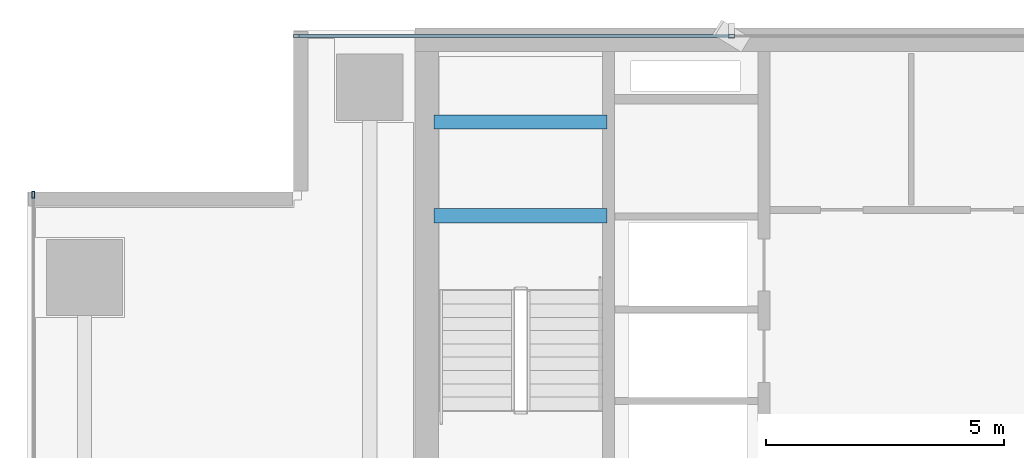
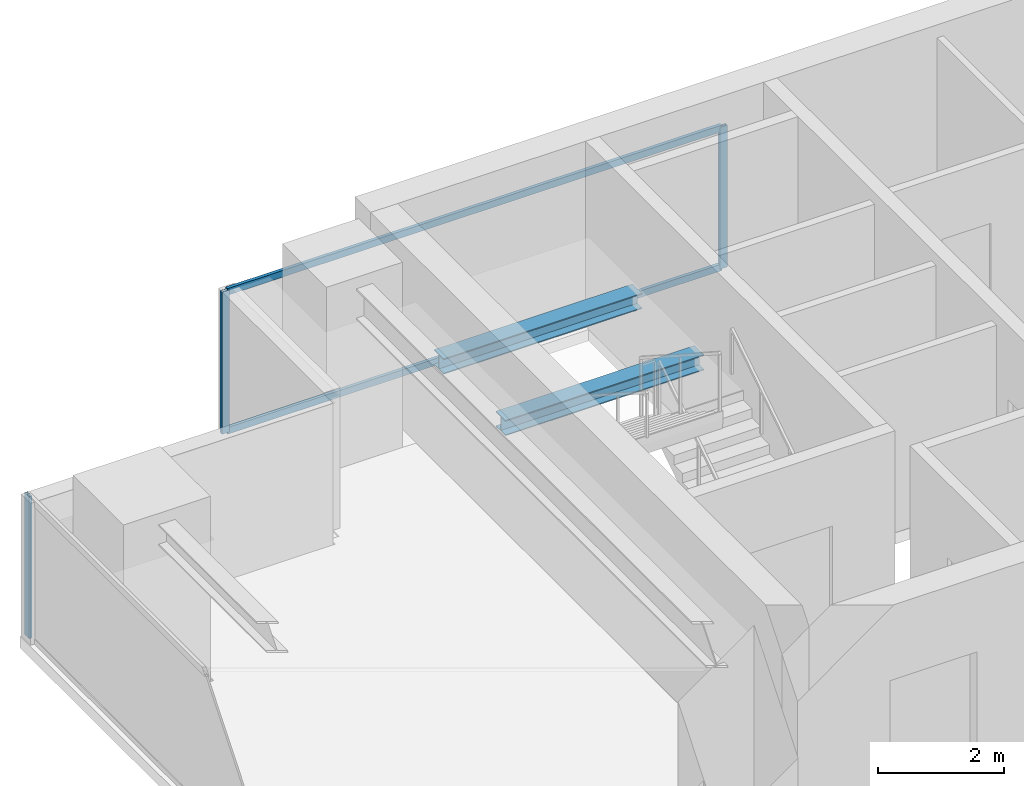
# One storey, part 19 of 29: 5 members, 2 beams, 2 elements without a shape of their own.
"""IFC4 building model written with IfcOpenShell, lengths in metres."""

from ifc_helpers import new_model, si_unit, direction, frame, origin, origin_2d, place, context, subcontext, project, spatial, hollow_rectangle, i_section, extrude, source, transform, mapped, material, layer, layer_set, material_profile, profile_set, type_object, element, aggregate, save


model = new_model("IFC4")

# Units and contexts
model_context = context("Model", 3, precision=1e-05, world=origin(), true_north=direction((0.0, 1.0)))
body_context = subcontext(model_context, "Body", "Model", "MODEL_VIEW")
ifc_project = project(units=[si_unit("LENGTHUNIT", "METRE"), si_unit("AREAUNIT", "SQUARE_METRE"), si_unit("VOLUMEUNIT", "CUBIC_METRE"), si_unit("PLANEANGLEUNIT", "RADIAN"), si_unit("MASSUNIT", "GRAM", prefix="KILO")], contexts=[model_context])

# Site, building, storey
site_placement = place(None, origin())
site = spatial("IfcSite", under=ifc_project, at=site_placement, CompositionType="ELEMENT")
building_placement = place(site_placement, origin())
building = spatial("IfcBuilding", under=site, at=building_placement, Name="Sumidabori Civic Tower", CompositionType="ELEMENT")
storey_placement = place(building_placement, frame((0.0, 0.0, 214.39990234375)))
storey = spatial("IfcBuildingStorey", under=building, at=storey_placement, Name="L55", CompositionType="ELEMENT", Elevation=214.39990234375)

# Beams
ifc_material_1 = material(Name="Steel SN490", Category="steel")
ifc_material_profile_1 = material_profile(ifc_material_1, i_section(OverallWidth=0.300048828125, OverallDepth=0.300048828125, WebThickness=0.010986328125, FlangeThickness=0.01904296875, at=origin_2d()), Name="HE 300 B")
ifc_profile_set_1 = profile_set([ifc_material_profile_1], Name="Steel SN490")
beam_type = type_object("IfcBeamType", Name="BM-LDG-300", PredefinedType="BEAM", material=ifc_profile_set_1)
shared_shape_1 = source(origin(), body_context, "Body", "SweptSolid", [
    extrude(i_section(OverallWidth=0.300048828125, OverallDepth=0.300048828125, WebThickness=0.010986328125, FlangeThickness=0.01904296875, at=origin_2d()), origin(), (0.0, 0.0, 1.0), 3.64990234375),
])
for number, where, z_axis, x_axis, name in (
    (1, (-15.449951171875, 20.09765625, 1.4501953125), (1.0, 0.0, 0.0), (0.0, 1.0, 0.0), "Stair ST-1 Landing Support Beam L55-1A"),
    (2, (-15.449951171875, 22.069580078125, 1.4501953125), (1.0, 0.0, 0.0), (0.0, 1.0, 0.0), "Stair ST-1 Landing Trimmer Beam L55-1B"),
):
    element("IfcBeam", number, at=place(storey_placement, frame(where, z_axis=z_axis, x_axis=x_axis)), inside=storey, type_object=beam_type, Name=name, PredefinedType="BEAM", context=body_context, shape_type="MappedRepresentation", body=[
        mapped(shared_shape_1, transform((0.0, 0.0, 0.0), x_axis=(1.0, 0.0, 0.0), y_axis=(0.0, 1.0, 0.0), z_axis=(0.0, 0.0, 1.0), scale=1.0)),
    ])

# Curtain wall, members
ifc_material_2 = material(Name="Anodised Bronze Aluminium AW-6063-T6", Category="aluminium")
ifc_layer = layer(ifc_material_2, 0.179931640625, Name="Anodised Bronze Aluminium AW-6063-T6")
ifc_layer_set = layer_set([ifc_layer], Name="Anodised Bronze Aluminium AW-6063-T6")
curtain_wall_type = type_object("IfcCurtainWallType", Name="CW-SYS-5", PredefinedType="NOTDEFINED", material=ifc_layer_set)
curtain_wall_1_placement = place(storey_placement, origin())
curtain_wall_1 = element("IfcCurtainWall", 3, at=curtain_wall_1_placement, inside=storey, type_object=curtain_wall_type, Name="Curtain Wall CW:L55:R13", PredefinedType="NOTDEFINED")
ifc_material_profile_2 = material_profile(ifc_material_2, hollow_rectangle(XDim=0.06005859375, YDim=0.139892578125, WallThickness=0.0048828125, at=origin_2d()), Name="ALU MULLION 140x60")
ifc_profile_set_2 = profile_set([ifc_material_profile_2], Name="Anodised Bronze Aluminium AW-6063-T6")
member_type_1 = type_object("IfcMemberType", Name="CW-MUL-140", PredefinedType="MULLION", material=ifc_profile_set_2)
shared_shape_2 = source(origin(), body_context, "Body", "SweptSolid", [
    extrude(hollow_rectangle(XDim=0.06005859375, YDim=0.139892578125, WallThickness=0.0048828125, at=origin_2d()), origin(), (0.0, 0.0, 1.0), 2.760009765625),
])
member_1_placement = place(storey_placement, frame((-9.18505859375, 23.8798828125, 0.0), z_axis=(0.0, 0.0, 1.0), x_axis=(0.0, -1.0, 0.0)))
member_1 = element("IfcMember", 4, at=member_1_placement, type_object=member_type_1, Name="CW-5 mullion 4", PredefinedType="MULLION", context=body_context, shape_type="MappedRepresentation", body=[
    mapped(shared_shape_2, transform((0.0, 0.0, 0.0), x_axis=(1.0, 0.0, 0.0), y_axis=(0.0, 1.0, 0.0), z_axis=(0.0, 0.0, 1.0), scale=1.0)),
])
member_2_placement = place(storey_placement, frame((-18.340087890625, 23.8798828125, 0.0), z_axis=(0.0, 0.0, 1.0), x_axis=(0.0, -1.0, 0.0)))
member_2 = element("IfcMember", 5, at=member_2_placement, type_object=member_type_1, Name="CW-5 mullion 5", PredefinedType="MULLION", context=body_context, shape_type="MappedRepresentation", body=[
    mapped(shared_shape_2, transform((0.0, 0.0, 0.0), x_axis=(1.0, 0.0, 0.0), y_axis=(0.0, 1.0, 0.0), z_axis=(0.0, 0.0, 1.0), scale=1.0)),
])

# Curtain wall, member
curtain_wall_2_placement = place(storey_placement, origin())
curtain_wall_2 = element("IfcCurtainWall", 6, at=curtain_wall_2_placement, inside=storey, type_object=curtain_wall_type, Name="Curtain Wall CW:L55:R16", PredefinedType="NOTDEFINED")
member_3_placement = place(storey_placement, frame((-23.8798828125, 20.5400390625, 0.0), z_axis=(0.0, 0.0, 1.0), x_axis=(1.0, 0.0, 0.0)))
member_3 = element("IfcMember", 7, at=member_3_placement, type_object=member_type_1, Name="CW-5 mullion 1", PredefinedType="MULLION", context=body_context, shape_type="MappedRepresentation", body=[
    mapped(shared_shape_2, transform((0.0, 0.0, 0.0), x_axis=(1.0, 0.0, 0.0), y_axis=(0.0, 1.0, 0.0), z_axis=(0.0, 0.0, 1.0), scale=1.0)),
])
aggregate(curtain_wall_2, [member_3])

# Member
ifc_material_profile_3 = material_profile(ifc_material_2, hollow_rectangle(XDim=0.06005859375, YDim=0.1298828125, WallThickness=0.0048828125, at=origin_2d()), Name="ALU TRANSOM 130x60")
ifc_profile_set_3 = profile_set([ifc_material_profile_3], Name="Anodised Bronze Aluminium AW-6063-T6")
member_type_2 = type_object("IfcMemberType", Name="CW-TRN-130", PredefinedType="USERDEFINED", material=ifc_profile_set_3)
shared_shape_3 = source(origin(), body_context, "Body", "SweptSolid", [
    extrude(hollow_rectangle(XDim=0.06005859375, YDim=0.1298828125, WallThickness=0.0048828125, at=origin_2d()), origin(), (0.0, 0.0, 1.0), 9.094970703125),
])
member_4_placement = place(storey_placement, frame((-9.215087890625, 23.8798828125, 0.030029296875), z_axis=(-1.0, 0.0, 0.0), x_axis=(0.0, -1.0, 0.0)))
member_4 = element("IfcMember", 8, at=member_4_placement, type_object=member_type_2, Name="CW-5 transom 4.1", ObjectType="TRANSOM", PredefinedType="USERDEFINED", context=body_context, shape_type="MappedRepresentation", body=[
    mapped(shared_shape_3, transform((0.0, 0.0, 0.0), x_axis=(1.0, 0.0, 0.0), y_axis=(0.0, 1.0, 0.0), z_axis=(0.0, 0.0, 1.0), scale=1.0)),
])

member_5_placement = place(storey_placement, frame((-9.215087890625, 23.8798828125, 2.72998046875), z_axis=(-1.0, 0.0, 0.0), x_axis=(0.0, -1.0, 0.0)))
member_5 = element("IfcMember", 9, at=member_5_placement, type_object=member_type_2, Name="CW-5 transom 4.2", ObjectType="TRANSOM", PredefinedType="USERDEFINED", context=body_context, shape_type="MappedRepresentation", body=[
    mapped(shared_shape_3, transform((0.0, 0.0, 0.0), x_axis=(1.0, 0.0, 0.0), y_axis=(0.0, 1.0, 0.0), z_axis=(0.0, 0.0, 1.0), scale=1.0)),
])

aggregate(curtain_wall_1, [member_1, member_2, member_4, member_5])

save(model, "model.ifc")
